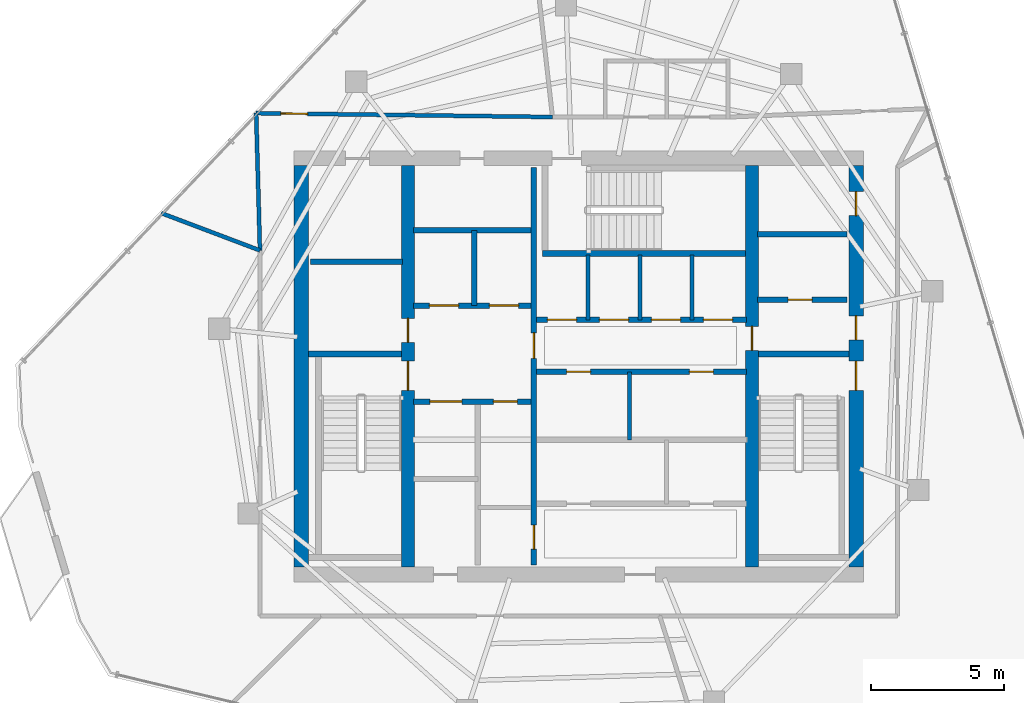
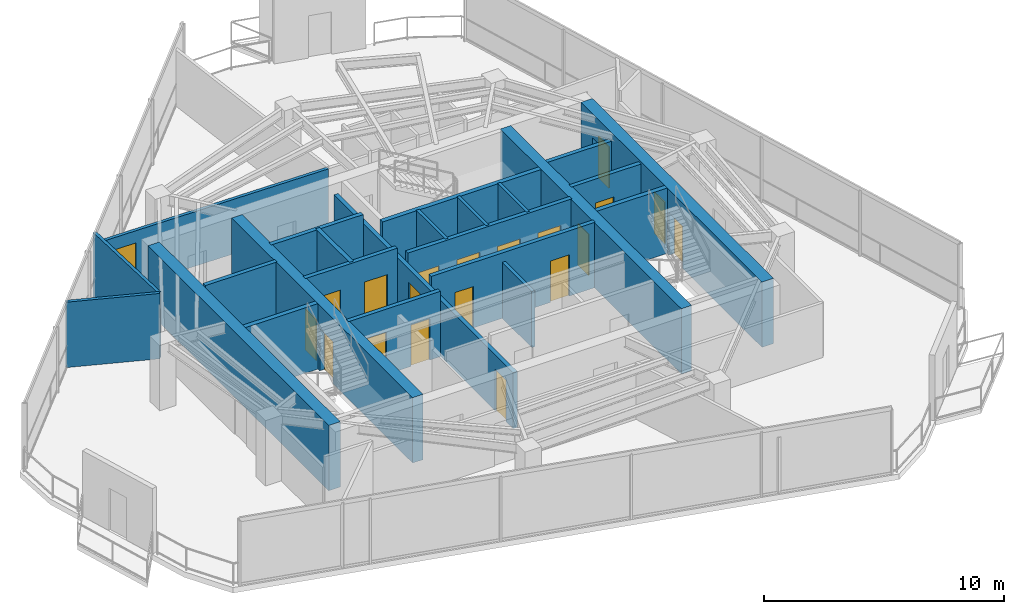
# One storey, part 15 of 18: 24 walls, 20 doors, 20 openings.
"""IFC4 building model written with IfcOpenShell, lengths in metres."""

from ifc_helpers import new_model, si_unit, direction, frame, frame_2d, origin, place, context, subcontext, project, spatial, rectangle, extrude, material, layer, layer_set, type_object, element, fill, save


model = new_model("IFC4")

# Units and contexts
model_context = context("Model", 3, precision=1e-05, world=origin(), true_north=direction((0.0, 1.0)))
body_context = subcontext(model_context, "Body", "Model", "MODEL_VIEW")
ifc_project = project(units=[si_unit("LENGTHUNIT", "METRE"), si_unit("AREAUNIT", "SQUARE_METRE"), si_unit("VOLUMEUNIT", "CUBIC_METRE"), si_unit("PLANEANGLEUNIT", "RADIAN"), si_unit("MASSUNIT", "GRAM", prefix="KILO")], contexts=[model_context])

# Site, building, storey
site_placement = place(None, origin())
site = spatial("IfcSite", under=ifc_project, at=site_placement, CompositionType="ELEMENT")
building_placement = place(site_placement, origin())
building = spatial("IfcBuilding", under=site, at=building_placement, Name="Qarnah Convention Tower", CompositionType="ELEMENT")
storey_placement = place(building_placement, frame((0.0, 0.0, 242.699951171875)))
storey = spatial("IfcBuildingStorey", under=building, at=storey_placement, Name="L65", CompositionType="ELEMENT", Elevation=242.699951171875)

# Wall
ifc_material_1 = material(Name="Concrete C60/75", Category="concrete")
ifc_layer_1 = layer(ifc_material_1, 0.550048828125)
ifc_layer_set_1 = layer_set([ifc_layer_1], Name="Concrete C60/75")
wall_type_1 = type_object("IfcWallType", Name="WL-CORE-550", PredefinedType="SHEAR", material=ifc_layer_set_1)
wall_1_placement = place(storey_placement, frame((26.800048828125, 18.875, 0.0), z_axis=(0.0, 0.0, 1.0), x_axis=(0.0, 1.0, 0.0)))
element("IfcWall", 1, at=wall_1_placement, inside=storey, type_object=wall_type_1, Name="L65 core west shear wall", PredefinedType="SHEAR", context=body_context, shape_type="SweptSolid", body=[
    extrude(rectangle(XDim=15.050048828125, YDim=0.550048828125, at=frame_2d((7.52490234375, 0.0))), origin(), (0.0, 0.0, 1.0), 3.320068359375),
])

# Wall, openings, doors
wall_2_placement = place(storey_placement, frame((47.60009765625, 18.875, 0.0), z_axis=(0.0, 0.0, 1.0), x_axis=(0.0, 1.0, 0.0)))
wall_2 = element("IfcWall", 2, at=wall_2_placement, inside=storey, type_object=wall_type_1, Name="L65 core east shear wall", PredefinedType="SHEAR", context=body_context, shape_type="SweptSolid", body=[
    extrude(rectangle(XDim=15.050048828125, YDim=0.550048828125, at=frame_2d((7.52490234375, 0.0))), origin(), (0.0, 0.0, 1.0), 3.320068359375),
])
opening_1_placement = place(wall_2_placement, frame((6.625, 0.0, 0.0)))
opening_1 = element("IfcOpeningElement", 3, at=opening_1_placement, cuts=wall_2, Name="Opening D-6502", PredefinedType="OPENING", context=body_context, shape_type="SweptSolid", body=[
    extrude(rectangle(XDim=1.10009765625, YDim=2.14990234375, at=frame_2d((0.550048828125, 1.074951171875))), frame((0.0, 0.284912109375, 0.0), z_axis=(0.0, -1.0, 0.0), x_axis=(1.0, 0.0, 0.0)), (0.0, 0.0, 1.0), 0.570068359375),
])
opening_2_placement = place(wall_2_placement, frame((8.52490234375, 0.0, 0.0)))
opening_2 = element("IfcOpeningElement", 4, at=opening_2_placement, cuts=wall_2, Name="Opening D-6506", PredefinedType="OPENING", context=body_context, shape_type="SweptSolid", body=[
    extrude(rectangle(XDim=0.89990234375, YDim=2.10009765625, at=frame_2d((0.449951171875, 1.050048828125))), frame((0.0, 0.284912109375, 0.0), z_axis=(0.0, -1.0, 0.0), x_axis=(1.0, 0.0, 0.0)), (0.0, 0.0, 1.0), 0.570068359375),
])
opening_3_placement = place(wall_2_placement, frame((13.175048828125, 0.0, 0.0)))
opening_3 = element("IfcOpeningElement", 5, at=opening_3_placement, cuts=wall_2, Name="Opening D-6512", PredefinedType="OPENING", context=body_context, shape_type="SweptSolid", body=[
    extrude(rectangle(XDim=0.89990234375, YDim=2.10009765625, at=frame_2d((0.449951171875, 1.050048828125))), frame((0.0, 0.284912109375, 0.0), z_axis=(0.0, -1.0, 0.0), x_axis=(1.0, 0.0, 0.0)), (0.0, 0.0, 1.0), 0.570068359375),
])
ifc_material_2 = material(Name="Structural steel S355JR", Category="steel")
door_type_1 = type_object("IfcDoorType", Name="DT-RISER-900", OperationType="NOTDEFINED", PredefinedType="DOOR", material=ifc_material_2)
door_1_placement = place(opening_2_placement, origin())
door_1 = element("IfcDoor", 6, at=door_1_placement, inside=storey, type_object=door_type_1, Name="Door D-6506", OperationType="SINGLE_SWING_LEFT", OverallHeight=2.10009765625, OverallWidth=0.89990234375, PredefinedType="DOOR", context=body_context, shape_type="SweptSolid", body=[
    extrude(rectangle(XDim=0.89990234375, YDim=2.10009765625, at=frame_2d((0.449951171875, 1.050048828125))), frame((0.0, 0.02490234375, 0.0), z_axis=(0.0, -1.0, 0.0), x_axis=(1.0, 0.0, 0.0)), (0.0, 0.0, 1.0), 0.050048828125),
])
fill(opening_2, door_1)
door_2_placement = place(opening_3_placement, origin())
door_2 = element("IfcDoor", 7, at=door_2_placement, inside=storey, type_object=door_type_1, Name="Door D-6512", OperationType="SINGLE_SWING_LEFT", OverallHeight=2.10009765625, OverallWidth=0.89990234375, PredefinedType="DOOR", context=body_context, shape_type="SweptSolid", body=[
    extrude(rectangle(XDim=0.89990234375, YDim=2.10009765625, at=frame_2d((0.449951171875, 1.050048828125))), frame((0.0, 0.02490234375, 0.0), z_axis=(0.0, -1.0, 0.0), x_axis=(1.0, 0.0, 0.0)), (0.0, 0.0, 1.0), 0.050048828125),
])
fill(opening_3, door_2)
door_type_2 = type_object("IfcDoorType", Name="DT-STAIR-1100", OperationType="NOTDEFINED", PredefinedType="DOOR", material=ifc_material_2)
door_3_placement = place(opening_1_placement, origin())
door_3 = element("IfcDoor", 8, at=door_3_placement, inside=storey, type_object=door_type_2, Name="Door D-6502", OperationType="SINGLE_SWING_LEFT", OverallHeight=2.14990234375, OverallWidth=1.10009765625, PredefinedType="DOOR", context=body_context, shape_type="SweptSolid", body=[
    extrude(rectangle(XDim=1.10009765625, YDim=2.14990234375, at=frame_2d((0.550048828125, 1.074951171875))), frame((0.0, 0.02490234375, 0.0), z_axis=(0.0, -1.0, 0.0), x_axis=(1.0, 0.0, 0.0)), (0.0, 0.0, 1.0), 0.050048828125),
])
fill(opening_1, door_3)

ifc_layer_2 = layer(ifc_material_1, 0.5)
ifc_layer_set_2 = layer_set([ifc_layer_2], Name="Concrete C60/75")
wall_type_2 = type_object("IfcWallType", Name="WL-CORE-INT-400", PredefinedType="SHEAR", material=ifc_layer_set_2)
wall_3_placement = place(storey_placement, frame((30.800048828125, 18.875, 0.0), z_axis=(0.0, 0.0, 1.0), x_axis=(0.0, 1.0, 0.0)))
wall_3 = element("IfcWall", 9, at=wall_3_placement, inside=storey, type_object=wall_type_2, Name="L65 core west spine shear wall", PredefinedType="SHEAR", context=body_context, shape_type="SweptSolid", body=[
    extrude(rectangle(XDim=15.050048828125, YDim=0.5, at=frame_2d((7.52490234375, 0.0))), origin(), (0.0, 0.0, 1.0), 3.320068359375),
])
opening_4_placement = place(wall_3_placement, frame((6.625, 0.0, 0.0)))
opening_4 = element("IfcOpeningElement", 10, at=opening_4_placement, cuts=wall_3, Name="Opening D-6501", PredefinedType="OPENING", context=body_context, shape_type="SweptSolid", body=[
    extrude(rectangle(XDim=1.10009765625, YDim=2.14990234375, at=frame_2d((0.550048828125, 1.074951171875))), frame((0.0, 0.260009765625, 0.0), z_axis=(0.0, -1.0, 0.0), x_axis=(1.0, 0.0, 0.0)), (0.0, 0.0, 1.0), 0.52001953125),
])
opening_5_placement = place(wall_3_placement, frame((8.425048828125, 0.0, 0.0)))
opening_5 = element("IfcOpeningElement", 11, at=opening_5_placement, cuts=wall_3, Name="Opening D-6508", PredefinedType="OPENING", context=body_context, shape_type="SweptSolid", body=[
    extrude(rectangle(XDim=0.89990234375, YDim=2.10009765625, at=frame_2d((0.449951171875, 1.050048828125))), frame((0.0, 0.260009765625, 0.0), z_axis=(0.0, -1.0, 0.0), x_axis=(1.0, 0.0, 0.0)), (0.0, 0.0, 1.0), 0.52001953125),
])
door_4_placement = place(opening_5_placement, origin())
door_4 = element("IfcDoor", 12, at=door_4_placement, inside=storey, type_object=door_type_1, Name="Door D-6508", OperationType="SINGLE_SWING_LEFT", OverallHeight=2.10009765625, OverallWidth=0.89990234375, PredefinedType="DOOR", context=body_context, shape_type="SweptSolid", body=[
    extrude(rectangle(XDim=0.89990234375, YDim=2.10009765625, at=frame_2d((0.449951171875, 1.050048828125))), frame((0.0, 0.02490234375, 0.0), z_axis=(0.0, -1.0, 0.0), x_axis=(1.0, 0.0, 0.0)), (0.0, 0.0, 1.0), 0.050048828125),
])
fill(opening_5, door_4)
door_5_placement = place(opening_4_placement, origin())
door_5 = element("IfcDoor", 13, at=door_5_placement, inside=storey, type_object=door_type_2, Name="Door D-6501", OperationType="SINGLE_SWING_RIGHT", OverallHeight=2.14990234375, OverallWidth=1.10009765625, PredefinedType="DOOR", context=body_context, shape_type="SweptSolid", body=[
    extrude(rectangle(XDim=1.10009765625, YDim=2.14990234375, at=frame_2d((0.550048828125, 1.074951171875))), frame((0.0, 0.02490234375, 0.0), z_axis=(0.0, -1.0, 0.0), x_axis=(1.0, 0.0, 0.0)), (0.0, 0.0, 1.0), 0.050048828125),
])
fill(opening_4, door_5)

# Wall, opening, door
wall_4_placement = place(storey_placement, frame((43.699951171875, 18.875, 0.0), z_axis=(0.0, 0.0, 1.0), x_axis=(0.0, 1.0, 0.0)))
wall_4 = element("IfcWall", 14, at=wall_4_placement, inside=storey, type_object=wall_type_2, Name="L65 core east spine shear wall", PredefinedType="SHEAR", context=body_context, shape_type="SweptSolid", body=[
    extrude(rectangle(XDim=15.050048828125, YDim=0.5, at=frame_2d((7.52490234375, 0.0))), origin(), (0.0, 0.0, 1.0), 3.320068359375),
])
opening_6_placement = place(wall_4_placement, frame((8.125, 0.0, 0.0)))
opening_6 = element("IfcOpeningElement", 15, at=opening_6_placement, cuts=wall_4, Name="Opening D-6505", PredefinedType="OPENING", context=body_context, shape_type="SweptSolid", body=[
    extrude(rectangle(XDim=0.89990234375, YDim=2.10009765625, at=frame_2d((0.449951171875, 1.050048828125))), frame((0.0, 0.260009765625, 0.0), z_axis=(0.0, -1.0, 0.0), x_axis=(1.0, 0.0, 0.0)), (0.0, 0.0, 1.0), 0.52001953125),
])
door_6_placement = place(opening_6_placement, origin())
door_6 = element("IfcDoor", 16, at=door_6_placement, inside=storey, type_object=door_type_1, Name="Door D-6505", OperationType="SINGLE_SWING_RIGHT", OverallHeight=2.10009765625, OverallWidth=0.89990234375, PredefinedType="DOOR", context=body_context, shape_type="SweptSolid", body=[
    extrude(rectangle(XDim=0.89990234375, YDim=2.10009765625, at=frame_2d((0.449951171875, 1.050048828125))), frame((0.0, 0.02490234375, 0.0), z_axis=(0.0, -1.0, 0.0), x_axis=(1.0, 0.0, 0.0)), (0.0, 0.0, 1.0), 0.050048828125),
])
fill(opening_6, door_6)

# Wall
ifc_material_3 = material(Name="Concrete C45/55", Category="concrete")
ifc_layer_3 = layer(ifc_material_3, 0.199951171875)
ifc_layer_set_3 = layer_set([ifc_layer_3], Name="Concrete C45/55")
wall_type_3 = type_object("IfcWallType", Name="WL-CORE-PART-200", PredefinedType="SOLIDWALL", material=ifc_layer_set_3)
wall_5_placement = place(storey_placement, frame((27.14990234375, 30.320068359375, 0.0), z_axis=(0.0, 0.0, 1.0), x_axis=(1.0, 0.0, 0.0)))
element("IfcWall", 17, at=wall_5_placement, inside=storey, type_object=wall_type_3, Name="L65 interior wall IW-L65-ELRN", PredefinedType="SOLIDWALL", context=body_context, shape_type="SweptSolid", body=[
    extrude(rectangle(XDim=3.4501953125, YDim=0.199951171875, at=frame_2d((1.72509765625, 0.0))), origin(), (0.0, 0.0, 1.0), 3.320068359375),
])

# Wall, opening, door
wall_6_placement = place(storey_placement, frame((43.89990234375, 28.89990234375, 0.0), z_axis=(0.0, 0.0, 1.0), x_axis=(1.0, 0.0, 0.0)))
wall_6 = element("IfcWall", 18, at=wall_6_placement, inside=storey, type_object=wall_type_3, Name="L65 interior wall IW-L65-EVSTN", PredefinedType="SOLIDWALL", context=body_context, shape_type="SweptSolid", body=[
    extrude(rectangle(XDim=3.35009765625, YDim=0.199951171875, at=frame_2d((1.675048828125, 0.0))), origin(), (0.0, 0.0, 1.0), 3.320068359375),
])
opening_7_placement = place(wall_6_placement, frame((1.14990234375, 0.0, 0.0)))
opening_7 = element("IfcOpeningElement", 19, at=opening_7_placement, cuts=wall_6, Name="Opening D-6511", PredefinedType="OPENING", context=body_context, shape_type="SweptSolid", body=[
    extrude(rectangle(XDim=0.89990234375, YDim=2.10009765625, at=frame_2d((0.449951171875, 1.050048828125))), frame((0.0, 0.10986328125, 0.0), z_axis=(0.0, -1.0, 0.0), x_axis=(1.0, 0.0, 0.0)), (0.0, 0.0, 1.0), 0.219970703125),
])
door_7_placement = place(opening_7_placement, origin())
door_7 = element("IfcDoor", 20, at=door_7_placement, inside=storey, type_object=door_type_1, Name="Door D-6511", OperationType="SINGLE_SWING_RIGHT", OverallHeight=2.10009765625, OverallWidth=0.89990234375, PredefinedType="DOOR", context=body_context, shape_type="SweptSolid", body=[
    extrude(rectangle(XDim=0.89990234375, YDim=2.10009765625, at=frame_2d((0.449951171875, 1.050048828125))), frame((0.0, 0.02490234375, 0.0), z_axis=(0.0, -1.0, 0.0), x_axis=(1.0, 0.0, 0.0)), (0.0, 0.0, 1.0), 0.050048828125),
])
fill(opening_7, door_7)

# Wall
wall_7_placement = place(storey_placement, frame((43.89990234375, 31.35009765625, 0.0), z_axis=(0.0, 0.0, 1.0), x_axis=(1.0, 0.0, 0.0)))
element("IfcWall", 21, at=wall_7_placement, inside=storey, type_object=wall_type_3, Name="L65 interior wall IW-L65-WTRN", PredefinedType="SOLIDWALL", context=body_context, shape_type="SweptSolid", body=[
    extrude(rectangle(XDim=3.35009765625, YDim=0.199951171875, at=frame_2d((1.675048828125, 0.0))), origin(), (0.0, 0.0, 1.0), 2.9931640625),
])

# Wall, openings, doors
wall_8_placement = place(storey_placement, frame((35.52001953125, 18.949951171875, 0.0), z_axis=(0.0, 0.0, 1.0), x_axis=(0.0, 1.0, 0.0)))
wall_8 = element("IfcWall", 22, at=wall_8_placement, inside=storey, type_object=wall_type_3, Name="L65 interior wall IW-L65-CSP", PredefinedType="SOLIDWALL", context=body_context, shape_type="SweptSolid", body=[
    extrude(rectangle(XDim=14.900146484375, YDim=0.199951171875, at=frame_2d((7.4501953125, 0.0))), origin(), (0.0, 0.0, 1.0), 2.841064453125),
])
opening_8_placement = place(wall_8_placement, frame((7.7548828125, 0.0, 0.0)))
opening_8 = element("IfcOpeningElement", 23, at=opening_8_placement, cuts=wall_8, Name="Opening D-6504", PredefinedType="OPENING", context=body_context, shape_type="SweptSolid", body=[
    extrude(rectangle(XDim=0.949951171875, YDim=2.14990234375, at=frame_2d((0.47509765625, 1.074951171875))), frame((0.0, 0.10986328125, 0.0), z_axis=(0.0, -1.0, 0.0), x_axis=(1.0, 0.0, 0.0)), (0.0, 0.0, 1.0), 0.219970703125),
])
opening_9_placement = place(wall_8_placement, frame((0.60009765625, 0.0, 0.0)))
opening_9 = element("IfcOpeningElement", 24, at=opening_9_placement, cuts=wall_8, Name="Opening D-6514", PredefinedType="OPENING", context=body_context, shape_type="SweptSolid", body=[
    extrude(rectangle(XDim=0.89990234375, YDim=2.10009765625, at=frame_2d((0.449951171875, 1.050048828125))), frame((0.0, 0.10986328125, 0.0), z_axis=(0.0, -1.0, 0.0), x_axis=(1.0, 0.0, 0.0)), (0.0, 0.0, 1.0), 0.219970703125),
])
ifc_material_4 = material(Name="Oak timber veneer", Category="wood")
door_type_3 = type_object("IfcDoorType", Name="DT-HOTEL-950", OperationType="NOTDEFINED", PredefinedType="DOOR", material=ifc_material_4)
door_8_placement = place(opening_8_placement, origin())
door_8 = element("IfcDoor", 25, at=door_8_placement, inside=storey, type_object=door_type_3, Name="Door D-6504", OperationType="SINGLE_SWING_LEFT", OverallHeight=2.14990234375, OverallWidth=0.949951171875, PredefinedType="DOOR", context=body_context, shape_type="SweptSolid", body=[
    extrude(rectangle(XDim=0.949951171875, YDim=2.14990234375, at=frame_2d((0.47509765625, 1.074951171875))), frame((0.0, 0.02490234375, 0.0), z_axis=(0.0, -1.0, 0.0), x_axis=(1.0, 0.0, 0.0)), (0.0, 0.0, 1.0), 0.050048828125),
])
fill(opening_8, door_8)
door_9_placement = place(opening_9_placement, origin())
door_9 = element("IfcDoor", 26, at=door_9_placement, inside=storey, type_object=door_type_1, Name="Door D-6514", OperationType="SINGLE_SWING_LEFT", OverallHeight=2.10009765625, OverallWidth=0.89990234375, PredefinedType="DOOR", context=body_context, shape_type="SweptSolid", body=[
    extrude(rectangle(XDim=0.89990234375, YDim=2.10009765625, at=frame_2d((0.449951171875, 1.050048828125))), frame((0.0, 0.02490234375, 0.0), z_axis=(0.0, -1.0, 0.0), x_axis=(1.0, 0.0, 0.0)), (0.0, 0.0, 1.0), 0.050048828125),
])
fill(opening_9, door_9)

wall_9_placement = place(storey_placement, frame((31.0, 28.679931640625, 0.0), z_axis=(0.0, 0.0, 1.0), x_axis=(1.0, 0.0, 0.0)))
wall_9 = element("IfcWall", 27, at=wall_9_placement, inside=storey, type_object=wall_type_3, Name="L65 interior wall IW-L65-FFLS", PredefinedType="SOLIDWALL", context=body_context, shape_type="SweptSolid", body=[
    extrude(rectangle(XDim=4.419921875, YDim=0.199951171875, at=frame_2d((2.2099609375, 0.0))), origin(), (0.0, 0.0, 1.0), 3.320068359375),
])
opening_10_placement = place(wall_9_placement, frame((0.60009765625, 0.0, 0.0)))
opening_10 = element("IfcOpeningElement", 28, at=opening_10_placement, cuts=wall_9, Name="Opening LD-6501", PredefinedType="OPENING", context=body_context, shape_type="SweptSolid", body=[
    extrude(rectangle(XDim=1.10009765625, YDim=2.14990234375, at=frame_2d((0.550048828125, 1.074951171875))), frame((0.0, 0.10986328125, 0.0), z_axis=(0.0, -1.0, 0.0), x_axis=(1.0, 0.0, 0.0)), (0.0, 0.0, 1.0), 0.219970703125),
])
opening_11_placement = place(wall_9_placement, frame((2.85009765625, 0.0, 0.0)))
opening_11 = element("IfcOpeningElement", 29, at=opening_11_placement, cuts=wall_9, Name="Opening LD-6502", PredefinedType="OPENING", context=body_context, shape_type="SweptSolid", body=[
    extrude(rectangle(XDim=1.10009765625, YDim=2.14990234375, at=frame_2d((0.550048828125, 1.074951171875))), frame((0.0, 0.10986328125, 0.0), z_axis=(0.0, -1.0, 0.0), x_axis=(1.0, 0.0, 0.0)), (0.0, 0.0, 1.0), 0.219970703125),
])
door_type_4 = type_object("IfcDoorType", Name="DT-LIFT-1100", OperationType="SLIDING_TO_LEFT", PredefinedType="DOOR", material=ifc_material_2)
door_10_placement = place(opening_10_placement, origin())
door_10 = element("IfcDoor", 30, at=door_10_placement, inside=storey, type_object=door_type_4, Name="Door LD-6501", OperationType="SLIDING_TO_LEFT", OverallHeight=2.14990234375, OverallWidth=1.10009765625, PredefinedType="DOOR", context=body_context, shape_type="SweptSolid", body=[
    extrude(rectangle(XDim=1.10009765625, YDim=2.14990234375, at=frame_2d((0.550048828125, 1.074951171875))), frame((0.0, 0.02490234375, 0.0), z_axis=(0.0, -1.0, 0.0), x_axis=(1.0, 0.0, 0.0)), (0.0, 0.0, 1.0), 0.050048828125),
])
fill(opening_10, door_10)
door_11_placement = place(opening_11_placement, origin())
door_11 = element("IfcDoor", 31, at=door_11_placement, inside=storey, type_object=door_type_4, Name="Door LD-6502", OperationType="SLIDING_TO_LEFT", OverallHeight=2.14990234375, OverallWidth=1.10009765625, PredefinedType="DOOR", context=body_context, shape_type="SweptSolid", body=[
    extrude(rectangle(XDim=1.10009765625, YDim=2.14990234375, at=frame_2d((0.550048828125, 1.074951171875))), frame((0.0, 0.02490234375, 0.0), z_axis=(0.0, -1.0, 0.0), x_axis=(1.0, 0.0, 0.0)), (0.0, 0.0, 1.0), 0.050048828125),
])
fill(opening_11, door_11)

# Walls
wall_10_placement = place(storey_placement, frame((31.0, 31.5, 0.0), z_axis=(0.0, 0.0, 1.0), x_axis=(1.0, 0.0, 0.0)))
element("IfcWall", 32, at=wall_10_placement, inside=storey, type_object=wall_type_3, Name="L65 interior wall IW-L65-FFLN", PredefinedType="SOLIDWALL", context=body_context, shape_type="SweptSolid", body=[
    extrude(rectangle(XDim=4.419921875, YDim=0.199951171875, at=frame_2d((2.2099609375, 0.0))), origin(), (0.0, 0.0, 1.0), 3.320068359375),
])
wall_11_placement = place(storey_placement, frame((33.280029296875, 28.679931640625, 0.0), z_axis=(0.0, 0.0, 1.0), x_axis=(0.0, 1.0, 0.0)))
element("IfcWall", 33, at=wall_11_placement, inside=storey, type_object=wall_type_3, Name="L65 interior wall IW-L65-FFLM", PredefinedType="SOLIDWALL", context=body_context, shape_type="SweptSolid", body=[
    extrude(rectangle(XDim=2.820068359375, YDim=0.199951171875, at=frame_2d((1.41015625, 0.0))), origin(), (0.0, 0.0, 1.0), 3.320068359375),
])

# Wall, openings, doors
wall_12_placement = place(storey_placement, frame((31.0, 25.080078125, 0.0), z_axis=(0.0, 0.0, 1.0), x_axis=(1.0, 0.0, 0.0)))
wall_12 = element("IfcWall", 34, at=wall_12_placement, inside=storey, type_object=wall_type_3, Name="L65 interior wall IW-L65-FFLBS", PredefinedType="SOLIDWALL", context=body_context, shape_type="SweptSolid", body=[
    extrude(rectangle(XDim=4.419921875, YDim=0.199951171875, at=frame_2d((2.2099609375, 0.0))), origin(), (0.0, 0.0, 1.0), 3.320068359375),
])
opening_12_placement = place(wall_12_placement, frame((3.0, 0.0, 0.0)))
opening_12 = element("IfcOpeningElement", 35, at=opening_12_placement, cuts=wall_12, Name="Opening D-6515", PredefinedType="OPENING", context=body_context, shape_type="SweptSolid", body=[
    extrude(rectangle(XDim=0.89990234375, YDim=2.10009765625, at=frame_2d((0.449951171875, 1.050048828125))), frame((0.0, 0.10986328125, 0.0), z_axis=(0.0, -1.0, 0.0), x_axis=(1.0, 0.0, 0.0)), (0.0, 0.0, 1.0), 0.219970703125),
])
opening_13_placement = place(wall_12_placement, frame((0.6201171875, 0.0, 0.0)))
opening_13 = element("IfcOpeningElement", 36, at=opening_13_placement, cuts=wall_12, Name="Opening LD-6503", PredefinedType="OPENING", context=body_context, shape_type="SweptSolid", body=[
    extrude(rectangle(XDim=1.199951171875, YDim=2.14990234375, at=frame_2d((0.60009765625, 1.074951171875))), frame((0.0, 0.10986328125, 0.0), z_axis=(0.0, -1.0, 0.0), x_axis=(1.0, 0.0, 0.0)), (0.0, 0.0, 1.0), 0.219970703125),
])
door_type_5 = type_object("IfcDoorType", Name="DT-LIFT-1200", OperationType="SLIDING_TO_LEFT", PredefinedType="DOOR", material=ifc_material_2)
door_12_placement = place(opening_13_placement, origin())
door_12 = element("IfcDoor", 37, at=door_12_placement, inside=storey, type_object=door_type_5, Name="Door LD-6503", OperationType="SLIDING_TO_LEFT", OverallHeight=2.14990234375, OverallWidth=1.199951171875, PredefinedType="DOOR", context=body_context, shape_type="SweptSolid", body=[
    extrude(rectangle(XDim=1.199951171875, YDim=2.14990234375, at=frame_2d((0.60009765625, 1.074951171875))), frame((0.0, 0.02490234375, 0.0), z_axis=(0.0, -1.0, 0.0), x_axis=(1.0, 0.0, 0.0)), (0.0, 0.0, 1.0), 0.050048828125),
])
fill(opening_13, door_12)
door_13_placement = place(opening_12_placement, origin())
door_13 = element("IfcDoor", 38, at=door_13_placement, inside=storey, type_object=door_type_1, Name="Door D-6515", OperationType="SINGLE_SWING_RIGHT", OverallHeight=2.10009765625, OverallWidth=0.89990234375, PredefinedType="DOOR", context=body_context, shape_type="SweptSolid", body=[
    extrude(rectangle(XDim=0.89990234375, YDim=2.10009765625, at=frame_2d((0.449951171875, 1.050048828125))), frame((0.0, 0.02490234375, 0.0), z_axis=(0.0, -1.0, 0.0), x_axis=(1.0, 0.0, 0.0)), (0.0, 0.0, 1.0), 0.050048828125),
])
fill(opening_12, door_13)

wall_13_placement = place(storey_placement, frame((35.6201171875, 28.14990234375, 0.0), z_axis=(0.0, 0.0, 1.0), x_axis=(1.0, 0.0, 0.0)))
wall_13 = element("IfcWall", 39, at=wall_13_placement, inside=storey, type_object=wall_type_3, Name="L65 interior wall IW-L65-PHS", PredefinedType="SOLIDWALL", context=body_context, shape_type="SweptSolid", body=[
    extrude(rectangle(XDim=7.8798828125, YDim=0.199951171875, at=frame_2d((3.93994140625, 0.0))), origin(), (0.0, 0.0, 1.0), 3.320068359375),
])
opening_14_placement = place(wall_13_placement, frame((0.405029296875, 0.0, 0.0)))
opening_14 = element("IfcOpeningElement", 40, at=opening_14_placement, cuts=wall_13, Name="Opening LD-6504", PredefinedType="OPENING", context=body_context, shape_type="SweptSolid", body=[
    extrude(rectangle(XDim=1.10009765625, YDim=2.14990234375, at=frame_2d((0.550048828125, 1.074951171875))), frame((0.0, 0.10986328125, 0.0), z_axis=(0.0, -1.0, 0.0), x_axis=(1.0, 0.0, 0.0)), (0.0, 0.0, 1.0), 0.219970703125),
])
opening_15_placement = place(wall_13_placement, frame((2.35498046875, 0.0, 0.0)))
opening_15 = element("IfcOpeningElement", 41, at=opening_15_placement, cuts=wall_13, Name="Opening LD-6505", PredefinedType="OPENING", context=body_context, shape_type="SweptSolid", body=[
    extrude(rectangle(XDim=1.10009765625, YDim=2.14990234375, at=frame_2d((0.550048828125, 1.074951171875))), frame((0.0, 0.10986328125, 0.0), z_axis=(0.0, -1.0, 0.0), x_axis=(1.0, 0.0, 0.0)), (0.0, 0.0, 1.0), 0.219970703125),
])
opening_16_placement = place(wall_13_placement, frame((4.304931640625, 0.0, 0.0)))
opening_16 = element("IfcOpeningElement", 42, at=opening_16_placement, cuts=wall_13, Name="Opening LD-6506", PredefinedType="OPENING", context=body_context, shape_type="SweptSolid", body=[
    extrude(rectangle(XDim=1.10009765625, YDim=2.14990234375, at=frame_2d((0.550048828125, 1.074951171875))), frame((0.0, 0.10986328125, 0.0), z_axis=(0.0, -1.0, 0.0), x_axis=(1.0, 0.0, 0.0)), (0.0, 0.0, 1.0), 0.219970703125),
])
opening_17_placement = place(wall_13_placement, frame((6.2548828125, 0.0, 0.0)))
opening_17 = element("IfcOpeningElement", 43, at=opening_17_placement, cuts=wall_13, Name="Opening LD-6507", PredefinedType="OPENING", context=body_context, shape_type="SweptSolid", body=[
    extrude(rectangle(XDim=1.10009765625, YDim=2.14990234375, at=frame_2d((0.550048828125, 1.074951171875))), frame((0.0, 0.10986328125, 0.0), z_axis=(0.0, -1.0, 0.0), x_axis=(1.0, 0.0, 0.0)), (0.0, 0.0, 1.0), 0.219970703125),
])
door_14_placement = place(opening_14_placement, origin())
door_14 = element("IfcDoor", 44, at=door_14_placement, inside=storey, type_object=door_type_4, Name="Door LD-6504", OperationType="SLIDING_TO_LEFT", OverallHeight=2.14990234375, OverallWidth=1.10009765625, PredefinedType="DOOR", context=body_context, shape_type="SweptSolid", body=[
    extrude(rectangle(XDim=1.10009765625, YDim=2.14990234375, at=frame_2d((0.550048828125, 1.074951171875))), frame((0.0, 0.02490234375, 0.0), z_axis=(0.0, -1.0, 0.0), x_axis=(1.0, 0.0, 0.0)), (0.0, 0.0, 1.0), 0.050048828125),
])
fill(opening_14, door_14)
door_15_placement = place(opening_15_placement, origin())
door_15 = element("IfcDoor", 45, at=door_15_placement, inside=storey, type_object=door_type_4, Name="Door LD-6505", OperationType="SLIDING_TO_LEFT", OverallHeight=2.14990234375, OverallWidth=1.10009765625, PredefinedType="DOOR", context=body_context, shape_type="SweptSolid", body=[
    extrude(rectangle(XDim=1.10009765625, YDim=2.14990234375, at=frame_2d((0.550048828125, 1.074951171875))), frame((0.0, 0.02490234375, 0.0), z_axis=(0.0, -1.0, 0.0), x_axis=(1.0, 0.0, 0.0)), (0.0, 0.0, 1.0), 0.050048828125),
])
fill(opening_15, door_15)
door_16_placement = place(opening_16_placement, origin())
door_16 = element("IfcDoor", 46, at=door_16_placement, inside=storey, type_object=door_type_4, Name="Door LD-6506", OperationType="SLIDING_TO_LEFT", OverallHeight=2.14990234375, OverallWidth=1.10009765625, PredefinedType="DOOR", context=body_context, shape_type="SweptSolid", body=[
    extrude(rectangle(XDim=1.10009765625, YDim=2.14990234375, at=frame_2d((0.550048828125, 1.074951171875))), frame((0.0, 0.02490234375, 0.0), z_axis=(0.0, -1.0, 0.0), x_axis=(1.0, 0.0, 0.0)), (0.0, 0.0, 1.0), 0.050048828125),
])
fill(opening_16, door_16)
door_17_placement = place(opening_17_placement, origin())
door_17 = element("IfcDoor", 47, at=door_17_placement, inside=storey, type_object=door_type_4, Name="Door LD-6507", OperationType="SLIDING_TO_LEFT", OverallHeight=2.14990234375, OverallWidth=1.10009765625, PredefinedType="DOOR", context=body_context, shape_type="SweptSolid", body=[
    extrude(rectangle(XDim=1.10009765625, YDim=2.14990234375, at=frame_2d((0.550048828125, 1.074951171875))), frame((0.0, 0.02490234375, 0.0), z_axis=(0.0, -1.0, 0.0), x_axis=(1.0, 0.0, 0.0)), (0.0, 0.0, 1.0), 0.050048828125),
])
fill(opening_17, door_17)

wall_14_placement = place(storey_placement, frame((35.6201171875, 26.199951171875, 0.0), z_axis=(0.0, 0.0, 1.0), x_axis=(1.0, 0.0, 0.0)))
wall_14 = element("IfcWall", 48, at=wall_14_placement, inside=storey, type_object=wall_type_3, Name="L65 interior wall IW-L65-PMN", PredefinedType="SOLIDWALL", context=body_context, shape_type="SweptSolid", body=[
    extrude(rectangle(XDim=7.8798828125, YDim=0.199951171875, at=frame_2d((3.93994140625, 0.0))), origin(), (0.0, 0.0, 1.0), 3.320068359375),
])
opening_18_placement = place(wall_14_placement, frame((1.1298828125, 0.0, 0.0)))
opening_18 = element("IfcOpeningElement", 49, at=opening_18_placement, cuts=wall_14, Name="Opening D-6518", PredefinedType="OPENING", context=body_context, shape_type="SweptSolid", body=[
    extrude(rectangle(XDim=0.89990234375, YDim=2.10009765625, at=frame_2d((0.449951171875, 1.050048828125))), frame((0.0, 0.10986328125, 0.0), z_axis=(0.0, -1.0, 0.0), x_axis=(1.0, 0.0, 0.0)), (0.0, 0.0, 1.0), 0.219970703125),
])
opening_19_placement = place(wall_14_placement, frame((5.72998046875, 0.0, 0.0)))
opening_19 = element("IfcOpeningElement", 50, at=opening_19_placement, cuts=wall_14, Name="Opening D-6519", PredefinedType="OPENING", context=body_context, shape_type="SweptSolid", body=[
    extrude(rectangle(XDim=0.89990234375, YDim=2.10009765625, at=frame_2d((0.449951171875, 1.050048828125))), frame((0.0, 0.10986328125, 0.0), z_axis=(0.0, -1.0, 0.0), x_axis=(1.0, 0.0, 0.0)), (0.0, 0.0, 1.0), 0.219970703125),
])
door_18_placement = place(opening_18_placement, origin())
door_18 = element("IfcDoor", 51, at=door_18_placement, inside=storey, type_object=door_type_1, Name="Door D-6518", OperationType="SINGLE_SWING_LEFT", OverallHeight=2.10009765625, OverallWidth=0.89990234375, PredefinedType="DOOR", context=body_context, shape_type="SweptSolid", body=[
    extrude(rectangle(XDim=0.89990234375, YDim=2.10009765625, at=frame_2d((0.449951171875, 1.050048828125))), frame((0.0, 0.02490234375, 0.0), z_axis=(0.0, -1.0, 0.0), x_axis=(1.0, 0.0, 0.0)), (0.0, 0.0, 1.0), 0.050048828125),
])
fill(opening_18, door_18)
door_19_placement = place(opening_19_placement, origin())
door_19 = element("IfcDoor", 52, at=door_19_placement, inside=storey, type_object=door_type_1, Name="Door D-6519", OperationType="SINGLE_SWING_RIGHT", OverallHeight=2.10009765625, OverallWidth=0.89990234375, PredefinedType="DOOR", context=body_context, shape_type="SweptSolid", body=[
    extrude(rectangle(XDim=0.89990234375, YDim=2.10009765625, at=frame_2d((0.449951171875, 1.050048828125))), frame((0.0, 0.02490234375, 0.0), z_axis=(0.0, -1.0, 0.0), x_axis=(1.0, 0.0, 0.0)), (0.0, 0.0, 1.0), 0.050048828125),
])
fill(opening_19, door_19)

# Walls
ifc_layer_4 = layer(ifc_material_1, 0.219970703125)
ifc_layer_set_4 = layer_set([ifc_layer_4], Name="Concrete C60/75")
wall_type_4 = type_object("IfcWallType", Name="WL-CORE-STAIR-220", PredefinedType="SHEAR", material=ifc_layer_set_4)
wall_15_placement = place(storey_placement, frame((27.074951171875, 26.860107421875, 0.0), z_axis=(0.0, 0.0, 1.0), x_axis=(1.0, 0.0, 0.0)))
element("IfcWall", 53, at=wall_15_placement, inside=storey, type_object=wall_type_4, Name="L65 stair shaft shear wall SW-L65-ST1N", PredefinedType="SHEAR", context=body_context, shape_type="SweptSolid", body=[
    extrude(rectangle(XDim=3.47509765625, YDim=0.219970703125, at=frame_2d((1.737548828125, 0.0))), origin(), (0.0, 0.0, 1.0), 3.320068359375),
])
wall_16_placement = place(storey_placement, frame((43.949951171875, 26.860107421875, 0.0), z_axis=(0.0, 0.0, 1.0), x_axis=(1.0, 0.0, 0.0)))
element("IfcWall", 54, at=wall_16_placement, inside=storey, type_object=wall_type_4, Name="L65 stair shaft shear wall SW-L65-ST2N", PredefinedType="SHEAR", context=body_context, shape_type="SweptSolid", body=[
    extrude(rectangle(XDim=3.375, YDim=0.219970703125, at=frame_2d((1.6875, 0.0))), origin(), (0.0, 0.0, 1.0), 3.320068359375),
])
wall_17_placement = place(storey_placement, frame((35.840087890625, 30.639892578125, 0.0), z_axis=(0.0, 0.0, 1.0), x_axis=(1.0, 0.0, 0.0)))
element("IfcWall", 55, at=wall_17_placement, inside=storey, type_object=wall_type_4, Name="L65 stair shaft shear wall SW-L65-ST3S", PredefinedType="SHEAR", context=body_context, shape_type="SweptSolid", body=[
    extrude(rectangle(XDim=7.60986328125, YDim=0.219970703125, at=frame_2d((3.804931640625, 0.0))), origin(), (0.0, 0.0, 1.0), 3.320068359375),
])
ifc_material_5 = material(Name="Gypsum partition board")
ifc_layer_5 = layer(ifc_material_5, 0.14990234375)
ifc_layer_set_5 = layer_set([ifc_layer_5], Name="Gypsum partition board")
wall_type_5 = type_object("IfcWallType", Name="WL-SUITE-150", PredefinedType="PARTITIONING", material=ifc_layer_set_5)
for number, where, z_axis, x_axis, name in (
    (56, (37.550048828125, 28.14990234375, 0.0), (0.0, 0.0, 1.0), (0.0, 1.0, 0.0), "L65 interior wall IW-L65-PHD1"),
    (57, (39.5, 28.14990234375, 0.0), (0.0, 0.0, 1.0), (0.0, 1.0, 0.0), "L65 interior wall IW-L65-PHD2"),
    (58, (41.449951171875, 28.14990234375, 0.0), (0.0, 0.0, 1.0), (0.0, 1.0, 0.0), "L65 interior wall IW-L65-PHD3"),
):
    element("IfcWall", number, at=place(storey_placement, frame(where, z_axis=z_axis, x_axis=x_axis)), inside=storey, type_object=wall_type_5, Name=name, PredefinedType="PARTITIONING", context=body_context, shape_type="SweptSolid", body=[
        extrude(rectangle(XDim=2.43017578125, YDim=0.14990234375, at=frame_2d((1.215087890625, 0.0))), origin(), (0.0, 0.0, 1.0), 3.320068359375),
    ])
wall_18_placement = place(storey_placement, frame((39.10009765625, 23.64990234375, 0.0), z_axis=(0.0, 0.0, 1.0), x_axis=(0.0, 1.0, 0.0)))
element("IfcWall", 59, at=wall_18_placement, inside=storey, type_object=wall_type_5, Name="L65 interior wall IW-L65-PMFD", PredefinedType="PARTITIONING", context=body_context, shape_type="SweptSolid", body=[
    extrude(rectangle(XDim=2.550048828125, YDim=0.14990234375, at=frame_2d((1.27490234375, 0.0))), origin(), (0.0, 0.0, 1.0), 2.841064453125),
])
wall_19_placement = place(storey_placement, frame((21.551025390625, 32.14697265625, 0.0), z_axis=(0.0, 0.0, 1.0), x_axis=(0.935425366805, -0.353524232745, 0.0)))
element("IfcWall", 60, at=wall_19_placement, inside=storey, type_object=wall_type_5, Name="L65 interior wall IW-L65-R-13", PredefinedType="PARTITIONING", context=body_context, shape_type="SweptSolid", body=[
    extrude(rectangle(XDim=3.954345703125, YDim=0.14990234375, at=frame_2d((1.97705078125, 0.0))), origin(), (0.0, 0.0, 1.0), 3.320068359375),
])
wall_20_placement = place(storey_placement, frame((25.25, 30.7490234375, 0.0), z_axis=(0.0, 0.0, 1.0), x_axis=(-0.027606443108, 0.999618869519, 0.0)))
element("IfcWall", 61, at=wall_20_placement, inside=storey, type_object=wall_type_5, Name="L65 interior wall IW-L65-R-14", PredefinedType="PARTITIONING", context=body_context, shape_type="SweptSolid", body=[
    extrude(rectangle(XDim=5.14697265625, YDim=0.14990234375, at=frame_2d((2.573486328125, 0.0))), origin(), (0.0, 0.0, 1.0), 3.320068359375),
])

# Wall, opening, door
wall_21_placement = place(storey_placement, frame((25.10791015625, 35.89404296875, 0.0), z_axis=(0.0, 0.0, 1.0), x_axis=(0.999915949711, -0.012965088243, 0.0)))
wall_21 = element("IfcWall", 62, at=wall_21_placement, inside=storey, type_object=wall_type_5, Name="L65 interior wall IW-L65-R-15", PredefinedType="PARTITIONING", context=body_context, shape_type="SweptSolid", body=[
    extrude(rectangle(XDim=11.110107421875, YDim=0.14990234375, at=frame_2d((5.55517578125, 0.0))), origin(), (0.0, 0.0, 1.0), 2.76904296875),
])
opening_20_placement = place(wall_21_placement, frame((0.927978515625, 0.0, 0.0)))
opening_20 = element("IfcOpeningElement", 63, at=opening_20_placement, cuts=wall_21, Name="Opening D-6523", PredefinedType="OPENING", context=body_context, shape_type="SweptSolid", body=[
    extrude(rectangle(XDim=1.0, YDim=2.14990234375, at=frame_2d((0.5, 1.074951171875))), frame((0.0, 0.0849609375, 0.0), z_axis=(0.0, -1.0, 0.0), x_axis=(1.0, 0.0, 0.0)), (0.0, 0.0, 1.0), 0.169921875),
])
door_type_6 = type_object("IfcDoorType", Name="DT-OFFICE-1000", OperationType="NOTDEFINED", PredefinedType="DOOR", material=ifc_material_4)
door_20_placement = place(opening_20_placement, origin())
door_20 = element("IfcDoor", 64, at=door_20_placement, inside=storey, type_object=door_type_6, Name="Door D-6523", OperationType="SINGLE_SWING_RIGHT", OverallHeight=2.14990234375, OverallWidth=1.0, PredefinedType="DOOR", context=body_context, shape_type="SweptSolid", body=[
    extrude(rectangle(XDim=1.0, YDim=2.14990234375, at=frame_2d((0.5, 1.074951171875))), frame((0.0, 0.02490234375, 0.0), z_axis=(0.0, -1.0, 0.0), x_axis=(1.0, 0.0, 0.0)), (0.0, 0.0, 1.0), 0.050048828125),
])
fill(opening_20, door_20)

save(model, "model.ifc")
